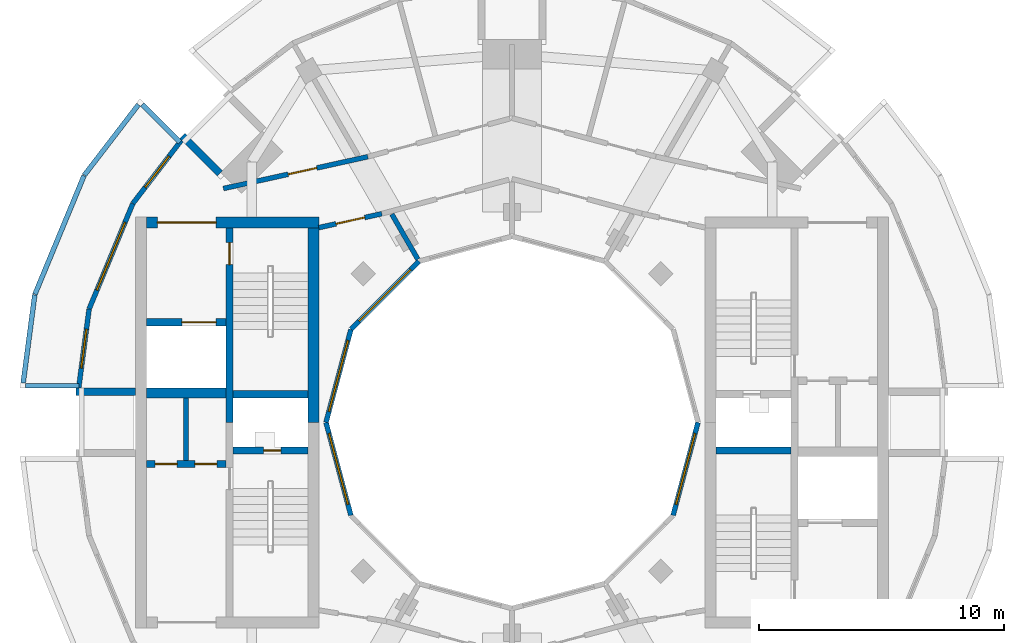
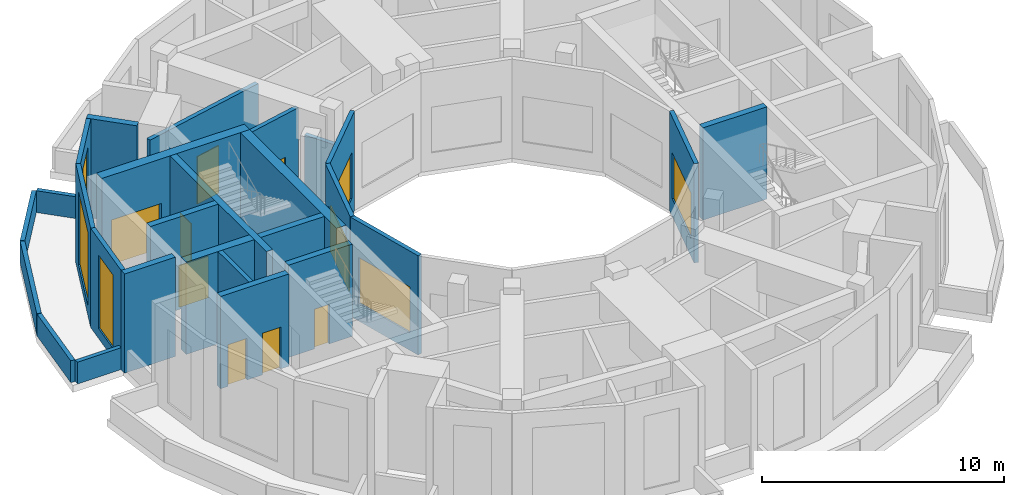
# One storey, part 4 of 8: 27 walls, 8 doors, 7 windows, 15 openings.
"""IFC4 building model written with IfcOpenShell, lengths in metres."""

from ifc_helpers import new_model, si_unit, direction, frame, frame_2d, origin, place, context, subcontext, project, spatial, rectangle, extrude, material, layer, layer_set, type_object, element, fill, save


model = new_model("IFC4")

# Units and contexts
model_context = context("Model", 3, precision=1e-05, world=origin(), true_north=direction((0.0, 1.0)))
body_context = subcontext(model_context, "Body", "Model", "MODEL_VIEW")
ifc_project = project(units=[si_unit("LENGTHUNIT", "METRE"), si_unit("AREAUNIT", "SQUARE_METRE"), si_unit("VOLUMEUNIT", "CUBIC_METRE"), si_unit("PLANEANGLEUNIT", "RADIAN"), si_unit("MASSUNIT", "GRAM", prefix="KILO")], contexts=[model_context])

# Site, building, storey
site_placement = place(None, origin())
site = spatial("IfcSite", under=ifc_project, at=site_placement, CompositionType="ELEMENT")
building_placement = place(site_placement, origin())
building = spatial("IfcBuilding", under=site, at=building_placement, Name="Torre Brocal", CompositionType="ELEMENT")
storey_placement = place(building_placement, frame((0.0, 0.0, 328.10009765625)))
storey = spatial("IfcBuildingStorey", under=building, at=storey_placement, Name="L75", CompositionType="ELEMENT", Elevation=328.10009765625)

# Walls
ifc_material_1 = material(Name="Masonry block", Category="masonry")
ifc_layer_1 = layer(ifc_material_1, 0.199951171875)
ifc_layer_set_1 = layer_set([ifc_layer_1], Name="Masonry block")
wall_type_1 = type_object("IfcWallType", Name="CORE PARTITION 200 UNDER 350 SLAB", PredefinedType="PARTITIONING", material=ifc_layer_set_1)
wall_1_placement = place(storey_placement, frame((66.675048828125, 76.0, 0.0), z_axis=(0.0, 0.0, 1.0), x_axis=(0.0, -1.0, 0.0)))
element("IfcWall", 1, at=wall_1_placement, inside=storey, type_object=wall_type_1, Name="Wall CP200-S350", PredefinedType="PARTITIONING", context=body_context, shape_type="SweptSolid", body=[
    extrude(rectangle(XDim=2.550048828125, YDim=0.199951171875, at=frame_2d((1.27490234375, 0.0))), origin(), (0.0, 0.0, 1.0), 4.64990234375),
])
ifc_material_2 = material(Name="Concrete C50", Category="concrete")
ifc_layer_2 = layer(ifc_material_2, 0.300048828125)
ifc_layer_set_2 = layer_set([ifc_layer_2], Name="Concrete C50")
wall_type_2 = type_object("IfcWallType", Name="CORE WALL 300 C50 UNDER 350 SLAB", PredefinedType="SHEAR", material=ifc_layer_set_2)
wall_2_placement = place(storey_placement, frame((88.35009765625, 73.85009765625, 0.0), z_axis=(0.0, 0.0, 1.0), x_axis=(1.0, 0.0, 0.0)))
element("IfcWall", 2, at=wall_2_placement, inside=storey, type_object=wall_type_2, Name="Wall CW300-50-S350", PredefinedType="SHEAR", context=body_context, shape_type="SweptSolid", body=[
    extrude(rectangle(XDim=3.0498046875, YDim=0.300048828125, at=frame_2d((1.52490234375, 0.0))), origin(), (0.0, 0.0, 1.0), 4.64990234375),
])

# Wall, opening, door
wall_3_placement = place(storey_placement, frame((68.449951171875, 82.949951171875, 0.0), z_axis=(0.0, 0.0, 1.0), x_axis=(0.0, -1.0, 0.0)))
wall_3 = element("IfcWall", 3, at=wall_3_placement, inside=storey, type_object=wall_type_2, Name="Wall CW300-50-S350", PredefinedType="SHEAR", context=body_context, shape_type="SweptSolid", body=[
    extrude(rectangle(XDim=7.949951171875, YDim=0.300048828125, at=frame_2d((3.97509765625, 0.0))), origin(), (0.0, 0.0, 1.0), 4.64990234375),
])
opening_1_placement = place(wall_3_placement, frame((0.60009765625, 0.0, 0.0)))
opening_1 = element("IfcOpeningElement", 4, at=opening_1_placement, cuts=wall_3, Name="Opening W-D03", PredefinedType="OPENING", context=body_context, shape_type="SweptSolid", body=[
    extrude(rectangle(XDim=0.89990234375, YDim=2.10009765625, at=frame_2d((0.449951171875, 1.050048828125))), frame((0.0, 0.159912109375, 0.0), z_axis=(0.0, -1.0, 0.0), x_axis=(1.0, 0.0, 0.0)), (0.0, 0.0, 1.0), 0.320068359375),
])
ifc_material_3 = material(Name="Steel A653", Category="steel")
door_type_1 = type_object("IfcDoorType", Name="STAIR DOOR FD120 900X2100", OperationType="SINGLE_SWING_RIGHT", PredefinedType="DOOR", material=ifc_material_3)
door_1_placement = place(opening_1_placement, origin())
door_1 = element("IfcDoor", 5, at=door_1_placement, inside=storey, type_object=door_type_1, Name="Door W-D03", OperationType="SINGLE_SWING_LEFT", OverallHeight=2.10009765625, OverallWidth=0.89990234375, PredefinedType="DOOR", context=body_context, shape_type="SweptSolid", body=[
    extrude(rectangle(XDim=0.89990234375, YDim=2.10009765625, at=frame_2d((0.449951171875, 1.050048828125))), frame((0.0, 0.02490234375, 0.0), z_axis=(0.0, -1.0, 0.0), x_axis=(1.0, 0.0, 0.0)), (0.0, 0.0, 1.0), 0.050048828125),
])
fill(opening_1, door_1)

wall_4_placement = place(storey_placement, frame((71.64990234375, 73.85009765625, 0.0), z_axis=(0.0, 0.0, 1.0), x_axis=(-1.0, 0.0, 0.0)))
wall_4 = element("IfcWall", 6, at=wall_4_placement, inside=storey, type_object=wall_type_2, Name="Wall CW300-50-S350", PredefinedType="SHEAR", context=body_context, shape_type="SweptSolid", body=[
    extrude(rectangle(XDim=3.0498046875, YDim=0.300048828125, at=frame_2d((1.52490234375, 0.0))), origin(), (0.0, 0.0, 1.0), 4.64990234375),
])
opening_2_placement = place(wall_4_placement, frame((1.10009765625, 0.0, 0.0)))
opening_2 = element("IfcOpeningElement", 7, at=opening_2_placement, cuts=wall_4, Name="Opening W-D01", PredefinedType="OPENING", context=body_context, shape_type="SweptSolid", body=[
    extrude(rectangle(XDim=0.699951171875, YDim=2.0, at=frame_2d((0.35009765625, 1.0))), frame((0.0, 0.159912109375, 0.0), z_axis=(0.0, -1.0, 0.0), x_axis=(1.0, 0.0, 0.0)), (0.0, 0.0, 1.0), 0.320068359375),
])
ifc_material_4 = material(Name="Steel A653", Category="steel")
door_type_2 = type_object("IfcDoorType", Name="RISER DOOR FD120 700X2000", OperationType="SINGLE_SWING_LEFT", PredefinedType="DOOR", material=ifc_material_4)
door_2_placement = place(opening_2_placement, frame((0.699951171875, 0.0, 0.0), z_axis=(0.0, 0.0, 1.0), x_axis=(-1.0, 0.0, 0.0)))
door_2 = element("IfcDoor", 8, at=door_2_placement, inside=storey, type_object=door_type_2, Name="Door W-D01", OperationType="SINGLE_SWING_RIGHT", OverallHeight=2.0, OverallWidth=0.699951171875, PredefinedType="DOOR", context=body_context, shape_type="SweptSolid", body=[
    extrude(rectangle(XDim=0.699951171875, YDim=2.0, at=frame_2d((0.35009765625, 1.0))), frame((0.0, 0.02490234375, 0.0), z_axis=(0.0, -1.0, 0.0), x_axis=(1.0, 0.0, 0.0)), (0.0, 0.0, 1.0), 0.050048828125),
])
fill(opening_2, door_2)

# Wall
wall_5_placement = place(storey_placement, frame((71.64990234375, 76.14990234375, 0.0), z_axis=(0.0, 0.0, 1.0), x_axis=(-1.0, 0.0, 0.0)))
element("IfcWall", 9, at=wall_5_placement, inside=storey, type_object=wall_type_2, Name="Wall CW300-50-S350", PredefinedType="SHEAR", context=body_context, shape_type="SweptSolid", body=[
    extrude(rectangle(XDim=3.0498046875, YDim=0.300048828125, at=frame_2d((1.52490234375, 0.0))), origin(), (0.0, 0.0, 1.0), 4.64990234375),
])

# Wall, openings, doors
wall_6_placement = place(storey_placement, frame((68.300048828125, 73.300048828125, 0.0), z_axis=(0.0, 0.0, 1.0), x_axis=(-1.0, 0.0, 0.0)))
wall_6 = element("IfcWall", 10, at=wall_6_placement, inside=storey, type_object=wall_type_2, Name="Wall CW300-50-S350", PredefinedType="SHEAR", context=body_context, shape_type="SweptSolid", body=[
    extrude(rectangle(XDim=3.25, YDim=0.300048828125, at=frame_2d((1.625, 0.0))), origin(), (0.0, 0.0, 1.0), 4.64990234375),
])
opening_3_placement = place(wall_6_placement, frame((0.362548828125, 0.0, 0.0)))
opening_3 = element("IfcOpeningElement", 11, at=opening_3_placement, cuts=wall_6, Name="Opening W-D04", PredefinedType="OPENING", context=body_context, shape_type="SweptSolid", body=[
    extrude(rectangle(XDim=0.89990234375, YDim=2.10009765625, at=frame_2d((0.449951171875, 1.050048828125))), frame((0.0, 0.159912109375, 0.0), z_axis=(0.0, -1.0, 0.0), x_axis=(1.0, 0.0, 0.0)), (0.0, 0.0, 1.0), 0.320068359375),
])
opening_4_placement = place(wall_6_placement, frame((1.987548828125, 0.0, 0.0)))
opening_4 = element("IfcOpeningElement", 12, at=opening_4_placement, cuts=wall_6, Name="Opening W-D05", PredefinedType="OPENING", context=body_context, shape_type="SweptSolid", body=[
    extrude(rectangle(XDim=0.89990234375, YDim=2.10009765625, at=frame_2d((0.449951171875, 1.050048828125))), frame((0.0, 0.159912109375, 0.0), z_axis=(0.0, -1.0, 0.0), x_axis=(1.0, 0.0, 0.0)), (0.0, 0.0, 1.0), 0.320068359375),
])
ifc_material_5 = material(Name="Steel A653", Category="steel")
door_type_3 = type_object("IfcDoorType", Name="ROOM DOOR FD30S 900X2100", OperationType="SINGLE_SWING_LEFT", PredefinedType="DOOR", material=ifc_material_5)
door_3_placement = place(opening_3_placement, frame((0.89990234375, 0.0, 0.0), z_axis=(0.0, 0.0, 1.0), x_axis=(-1.0, 0.0, 0.0)))
door_3 = element("IfcDoor", 13, at=door_3_placement, inside=storey, type_object=door_type_3, Name="Door W-D04", OperationType="SINGLE_SWING_LEFT", OverallHeight=2.10009765625, OverallWidth=0.89990234375, PredefinedType="DOOR", context=body_context, shape_type="SweptSolid", body=[
    extrude(rectangle(XDim=0.89990234375, YDim=2.10009765625, at=frame_2d((0.449951171875, 1.050048828125))), frame((0.0, 0.02490234375, 0.0), z_axis=(0.0, -1.0, 0.0), x_axis=(1.0, 0.0, 0.0)), (0.0, 0.0, 1.0), 0.050048828125),
])
fill(opening_3, door_3)
door_4_placement = place(opening_4_placement, frame((0.89990234375, 0.0, 0.0), z_axis=(0.0, 0.0, 1.0), x_axis=(-1.0, 0.0, 0.0)))
door_4 = element("IfcDoor", 14, at=door_4_placement, inside=storey, type_object=door_type_3, Name="Door W-D05", OperationType="SINGLE_SWING_RIGHT", OverallHeight=2.10009765625, OverallWidth=0.89990234375, PredefinedType="DOOR", context=body_context, shape_type="SweptSolid", body=[
    extrude(rectangle(XDim=0.89990234375, YDim=2.10009765625, at=frame_2d((0.449951171875, 1.050048828125))), frame((0.0, 0.02490234375, 0.0), z_axis=(0.0, -1.0, 0.0), x_axis=(1.0, 0.0, 0.0)), (0.0, 0.0, 1.0), 0.050048828125),
])
fill(opening_4, door_4)

# Wall, opening, door
wall_7_placement = place(storey_placement, frame((68.300048828125, 79.10009765625, 0.0), z_axis=(0.0, 0.0, 1.0), x_axis=(-1.0, 0.0, 0.0)))
wall_7 = element("IfcWall", 15, at=wall_7_placement, inside=storey, type_object=wall_type_2, Name="Wall CW300-50-S350", PredefinedType="SHEAR", context=body_context, shape_type="SweptSolid", body=[
    extrude(rectangle(XDim=3.25, YDim=0.300048828125, at=frame_2d((1.625, 0.0))), origin(), (0.0, 0.0, 1.0), 4.64990234375),
])
opening_5_placement = place(wall_7_placement, frame((0.39990234375, 0.0, 0.0)))
opening_5 = element("IfcOpeningElement", 16, at=opening_5_placement, cuts=wall_7, Name="Opening LD14", PredefinedType="OPENING", context=body_context, shape_type="SweptSolid", body=[
    extrude(rectangle(XDim=1.39990234375, YDim=2.10009765625, at=frame_2d((0.699951171875, 1.050048828125))), frame((0.0, 0.159912109375, 0.0), z_axis=(0.0, -1.0, 0.0), x_axis=(1.0, 0.0, 0.0)), (0.0, 0.0, 1.0), 0.320068359375),
])
ifc_material_6 = material(Name="Stainless steel AISI 316", Category="steel")
door_type_4 = type_object("IfcDoorType", Name="LIFT LANDING DOOR 1400X2100", OperationType="DOUBLE_DOOR_SLIDING", PredefinedType="DOOR", material=ifc_material_6)
door_5_placement = place(opening_5_placement, origin())
door_5 = element("IfcDoor", 17, at=door_5_placement, inside=storey, type_object=door_type_4, Name="Door LD14", OperationType="DOUBLE_DOOR_SLIDING", OverallHeight=2.10009765625, OverallWidth=1.39990234375, PredefinedType="DOOR", context=body_context, shape_type="SweptSolid", body=[
    extrude(rectangle(XDim=1.39990234375, YDim=2.10009765625, at=frame_2d((0.699951171875, 1.050048828125))), frame((0.0, 0.02490234375, 0.0), z_axis=(0.0, -1.0, 0.0), x_axis=(1.0, 0.0, 0.0)), (0.0, 0.0, 1.0), 0.050048828125),
])
fill(opening_5, door_5)

# Wall
ifc_material_7 = material(Name="Concrete C50", Category="concrete")
ifc_layer_3 = layer(ifc_material_7, 0.39990234375)
ifc_layer_set_3 = layer_set([ifc_layer_3], Name="Concrete C50")
wall_type_3 = type_object("IfcWallType", Name="CORE WALL 400 C50 UNDER 350 SLAB", PredefinedType="SHEAR", material=ifc_layer_set_3)
wall_8_placement = place(storey_placement, frame((68.300048828125, 76.199951171875, 0.0), z_axis=(0.0, 0.0, 1.0), x_axis=(-1.0, 0.0, 0.0)))
element("IfcWall", 18, at=wall_8_placement, inside=storey, type_object=wall_type_3, Name="Wall CW400-50-S350", PredefinedType="SHEAR", context=body_context, shape_type="SweptSolid", body=[
    extrude(rectangle(XDim=3.25, YDim=0.39990234375, at=frame_2d((1.625, 0.0))), origin(), (0.0, 0.0, 1.0), 4.64990234375),
])

# Wall, opening, door
ifc_material_8 = material(Name="Concrete C50", Category="concrete")
ifc_layer_4 = layer(ifc_material_8, 0.449951171875)
ifc_layer_set_4 = layer_set([ifc_layer_4], Name="Concrete C50")
wall_type_4 = type_object("IfcWallType", Name="CORE WALL 450 C50 UNDER 350 SLAB", PredefinedType="SHEAR", material=ifc_layer_set_4)
wall_9_placement = place(storey_placement, frame((72.10009765625, 83.175048828125, 0.0), z_axis=(0.0, 0.0, 1.0), x_axis=(-1.0, 0.0, 0.0)))
wall_9 = element("IfcWall", 19, at=wall_9_placement, inside=storey, type_object=wall_type_4, Name="Wall CW450-50-S350", PredefinedType="SHEAR", context=body_context, shape_type="SweptSolid", body=[
    extrude(rectangle(XDim=7.050048828125, YDim=0.449951171875, at=frame_2d((3.52490234375, 0.0))), origin(), (0.0, 0.0, 1.0), 4.64990234375),
])
opening_6_placement = place(wall_9_placement, frame((4.199951171875, 0.0, 0.0)))
opening_6 = element("IfcOpeningElement", 20, at=opening_6_placement, cuts=wall_9, Name="Opening W-D24", PredefinedType="OPENING", context=body_context, shape_type="SweptSolid", body=[
    extrude(rectangle(XDim=2.39990234375, YDim=2.39990234375, at=frame_2d((1.199951171875, 1.199951171875))), frame((0.0, 0.23486328125, 0.0), z_axis=(0.0, -1.0, 0.0), x_axis=(1.0, 0.0, 0.0)), (0.0, 0.0, 1.0), 0.469970703125),
])
ifc_material_9 = material(Name="Steel A653", Category="steel")
door_type_5 = type_object("IfcDoorType", Name="DOUBLE FIRE DOOR FD90 2400X2400", OperationType="DOUBLE_DOOR_SINGLE_SWING", PredefinedType="DOOR", material=ifc_material_9)
door_6_placement = place(opening_6_placement, origin())
door_6 = element("IfcDoor", 21, at=door_6_placement, inside=storey, type_object=door_type_5, Name="Door W-D24", OperationType="DOUBLE_DOOR_SINGLE_SWING", OverallHeight=2.39990234375, OverallWidth=2.39990234375, PredefinedType="DOOR", context=body_context, shape_type="SweptSolid", body=[
    extrude(rectangle(XDim=2.39990234375, YDim=2.39990234375, at=frame_2d((1.199951171875, 1.199951171875))), frame((0.0, 0.02490234375, 0.0), z_axis=(0.0, -1.0, 0.0), x_axis=(1.0, 0.0, 0.0)), (0.0, 0.0, 1.0), 0.050048828125),
])
fill(opening_6, door_6)

# Wall
wall_10_placement = place(storey_placement, frame((71.875, 82.949951171875, 0.0), z_axis=(0.0, 0.0, 1.0), x_axis=(0.0, -1.0, 0.0)))
element("IfcWall", 22, at=wall_10_placement, inside=storey, type_object=wall_type_4, Name="Wall CW450-50-S350", PredefinedType="SHEAR", context=body_context, shape_type="SweptSolid", body=[
    extrude(rectangle(XDim=7.949951171875, YDim=0.449951171875, at=frame_2d((3.97509765625, 0.0))), origin(), (0.0, 0.0, 1.0), 4.64990234375),
])

# Wall, opening, window
ifc_material_10 = material(Name="Concrete C40", Category="concrete")
ifc_layer_5 = layer(ifc_material_10, 0.199951171875)
ifc_layer_set_5 = layer_set([ifc_layer_5], Name="Concrete C40")
wall_type_5 = type_object("IfcWallType", Name="LOUVRED PLANT WALL 200", PredefinedType="NOTDEFINED", material=ifc_layer_set_5)
wall_11_placement = place(storey_placement, frame((66.48388671875, 86.536376953125, 0.0), z_axis=(0.0, 0.0, 1.0), x_axis=(-0.608780431243, -0.793338759003, 0.0)))
wall_11 = element("IfcWall", 23, at=wall_11_placement, inside=storey, type_object=wall_type_5, Name="LOUVRED PLANT WALL", PredefinedType="NOTDEFINED", context=body_context, shape_type="SweptSolid", body=[
    extrude(rectangle(XDim=3.2607421875, YDim=0.199951171875, at=frame_2d((1.63037109375, 0.0))), origin(), (0.0, 0.0, 1.0), 5.0),
])
opening_7_placement = place(wall_11_placement, frame((0.830322265625, 0.0, 0.5)))
opening_7 = element("IfcOpeningElement", 24, at=opening_7_placement, cuts=wall_11, Name="Opening LV-1600-3700", PredefinedType="OPENING", context=body_context, shape_type="SweptSolid", body=[
    extrude(rectangle(XDim=1.60009765625, YDim=3.699951171875, at=frame_2d((0.800048828125, 1.85009765625))), frame((0.0, 0.10986328125, 0.0), z_axis=(0.0, -1.0, 0.0), x_axis=(1.0, 0.0, 0.0)), (0.0, 0.0, 1.0), 0.219970703125),
])
ifc_material_11 = material(Name="Aluminium louvre", Category="aluminium")
window_type_1 = type_object("IfcWindowType", Name="LOUVRE PANEL 1600X3700", PartitioningType="SINGLE_PANEL", PredefinedType="USERDEFINED", material=ifc_material_11)
window_1_placement = place(opening_7_placement, origin())
window_1 = element("IfcWindow", 25, at=window_1_placement, inside=storey, type_object=window_type_1, Name="LOUVRE PANEL 1600X3700", ObjectType="LOUVRE", OverallHeight=3.699951171875, OverallWidth=1.60009765625, PartitioningType="SINGLE_PANEL", PredefinedType="USERDEFINED", context=body_context, shape_type="SweptSolid", body=[
    extrude(rectangle(XDim=1.60009765625, YDim=3.699951171875, at=frame_2d((0.800048828125, 1.85009765625))), frame((0.0, 0.030029296875, 0.0), z_axis=(0.0, -1.0, 0.0), x_axis=(1.0, 0.0, 0.0)), (0.0, 0.0, 1.0), 0.06005859375),
])
fill(opening_7, window_1)

wall_12_placement = place(storey_placement, frame((64.498779296875, 83.949462890625, 0.0), z_axis=(0.0, 0.0, 1.0), x_axis=(-0.382677892842, -0.923881827038, 0.0)))
wall_12 = element("IfcWall", 26, at=wall_12_placement, inside=storey, type_object=wall_type_5, Name="LOUVRED PLANT WALL", PredefinedType="NOTDEFINED", context=body_context, shape_type="SweptSolid", body=[
    extrude(rectangle(XDim=4.672607421875, YDim=0.199951171875, at=frame_2d((2.33642578125, 0.0))), origin(), (0.0, 0.0, 1.0), 5.0),
])
opening_8_placement = place(wall_12_placement, frame((0.83642578125, 0.0, 0.5)))
opening_8 = element("IfcOpeningElement", 27, at=opening_8_placement, cuts=wall_12, Name="Opening LV-3000-3700", PredefinedType="OPENING", context=body_context, shape_type="SweptSolid", body=[
    extrude(rectangle(XDim=3.0, YDim=3.699951171875, at=frame_2d((1.5, 1.85009765625))), frame((0.0, 0.10986328125, 0.0), z_axis=(0.0, -1.0, 0.0), x_axis=(1.0, 0.0, 0.0)), (0.0, 0.0, 1.0), 0.219970703125),
])
ifc_material_12 = material(Name="Aluminium louvre", Category="aluminium")
window_type_2 = type_object("IfcWindowType", Name="LOUVRE PANEL 3000X3700", PartitioningType="SINGLE_PANEL", PredefinedType="USERDEFINED", material=ifc_material_12)
window_2_placement = place(opening_8_placement, origin())
window_2 = element("IfcWindow", 28, at=window_2_placement, inside=storey, type_object=window_type_2, Name="LOUVRE PANEL 3000X3700", ObjectType="LOUVRE", OverallHeight=3.699951171875, OverallWidth=3.0, PartitioningType="SINGLE_PANEL", PredefinedType="USERDEFINED", context=body_context, shape_type="SweptSolid", body=[
    extrude(rectangle(XDim=3.0, YDim=3.699951171875, at=frame_2d((1.5, 1.85009765625))), frame((0.0, 0.030029296875, 0.0), z_axis=(0.0, -1.0, 0.0), x_axis=(1.0, 0.0, 0.0)), (0.0, 0.0, 1.0), 0.06005859375),
])
fill(opening_8, window_2)

wall_13_placement = place(storey_placement, frame((62.710693359375, 79.632568359375, 0.0), z_axis=(0.0, 0.0, 1.0), x_axis=(-0.130510682886, -0.991446903093, 0.0)))
wall_13 = element("IfcWall", 29, at=wall_13_placement, inside=storey, type_object=wall_type_5, Name="LOUVRED PLANT WALL", PredefinedType="NOTDEFINED", context=body_context, shape_type="SweptSolid", body=[
    extrude(rectangle(XDim=3.260498046875, YDim=0.199951171875, at=frame_2d((1.63037109375, 0.0))), origin(), (0.0, 0.0, 1.0), 5.0),
])
opening_9_placement = place(wall_13_placement, frame((0.830322265625, 0.0, 0.5)))
opening_9 = element("IfcOpeningElement", 30, at=opening_9_placement, cuts=wall_13, Name="Opening LV-1600-3700", PredefinedType="OPENING", context=body_context, shape_type="SweptSolid", body=[
    extrude(rectangle(XDim=1.60009765625, YDim=3.699951171875, at=frame_2d((0.800048828125, 1.85009765625))), frame((0.0, 0.10986328125, 0.0), z_axis=(0.0, -1.0, 0.0), x_axis=(1.0, 0.0, 0.0)), (0.0, 0.0, 1.0), 0.219970703125),
])
window_3_placement = place(opening_9_placement, origin())
window_3 = element("IfcWindow", 31, at=window_3_placement, inside=storey, type_object=window_type_1, Name="LOUVRE PANEL 1600X3700", ObjectType="LOUVRE", OverallHeight=3.699951171875, OverallWidth=1.60009765625, PartitioningType="SINGLE_PANEL", PredefinedType="USERDEFINED", context=body_context, shape_type="SweptSolid", body=[
    extrude(rectangle(XDim=1.60009765625, YDim=3.699951171875, at=frame_2d((0.800048828125, 1.85009765625))), frame((0.0, 0.030029296875, 0.0), z_axis=(0.0, -1.0, 0.0), x_axis=(1.0, 0.0, 0.0)), (0.0, 0.0, 1.0), 0.06005859375),
])
fill(opening_9, window_3)

# Walls
ifc_material_13 = material(Name="Concrete C50", Category="concrete")
ifc_layer_6 = layer(ifc_material_13, 0.300048828125)
ifc_layer_set_6 = layer_set([ifc_layer_6], Name="Concrete C50")
wall_type_6 = type_object("IfcWallType", Name="NOTCH RETURN WALL 300 C50", PredefinedType="NOTDEFINED", material=ifc_layer_set_6)
wall_14_placement = place(storey_placement, frame((68.0498046875, 85.182373046875, 0.0), z_axis=(0.0, 0.0, 1.0), x_axis=(-0.707106781187, 0.707106781187, 0.0)))
element("IfcWall", 32, at=wall_14_placement, inside=storey, type_object=wall_type_6, Name="NOTCH RETURN WALL", PredefinedType="NOTDEFINED", context=body_context, shape_type="SweptSolid", body=[
    extrude(rectangle(XDim=2.16552734375, YDim=0.300048828125, at=frame_2d((1.082763671875, 0.0))), origin(), (0.0, 0.0, 1.0), 5.0),
])
wall_15_placement = place(storey_placement, frame((64.60009765625, 76.25, 0.0), z_axis=(0.0, 0.0, 1.0), x_axis=(-1.0, 0.0, 0.0)))
element("IfcWall", 33, at=wall_15_placement, inside=storey, type_object=wall_type_6, Name="NOTCH RETURN WALL", PredefinedType="NOTDEFINED", context=body_context, shape_type="SweptSolid", body=[
    extrude(rectangle(XDim=2.415771484375, YDim=0.300048828125, at=frame_2d((1.2080078125, 0.0))), origin(), (0.0, 0.0, 1.0), 5.0),
])
ifc_material_14 = material(Name="Concrete C40", Category="concrete")
ifc_layer_7 = layer(ifc_material_14, 0.199951171875)
ifc_layer_set_7 = layer_set([ifc_layer_7], Name="Concrete C40")
wall_type_7 = type_object("IfcWallType", Name="PARAPET WALL 200 THICK 1100 HIGH 4", PredefinedType="PARAPET", material=ifc_layer_set_7)
wall_16_placement = place(storey_placement, frame((62.300048828125, 76.5, 0.0), z_axis=(0.0, 0.0, 1.0), x_axis=(-1.0, 0.0, 0.0)))
element("IfcWall", 34, at=wall_16_placement, inside=storey, type_object=wall_type_7, Name="PARAPET WALL 29", PredefinedType="PARAPET", context=body_context, shape_type="SweptSolid", body=[
    extrude(rectangle(XDim=2.18603515625, YDim=0.199951171875, at=frame_2d((1.093017578125, 0.0))), origin(), (0.0, 0.0, 1.0), 1.099853515625),
])
wall_17_placement = place(storey_placement, frame((60.014892578125, 76.613037109375, 0.0), z_axis=(0.0, 0.0, 1.0), x_axis=(0.130525796353, 0.991444913491, 0.0)))
element("IfcWall", 35, at=wall_17_placement, inside=storey, type_object=wall_type_7, Name="PARAPET WALL 30", PredefinedType="PARAPET", context=body_context, shape_type="SweptSolid", body=[
    extrude(rectangle(XDim=3.63232421875, YDim=0.199951171875, at=frame_2d((1.816162109375, 0.0))), origin(), (0.0, 0.0, 1.0), 1.099853515625),
])
wall_18_placement = place(storey_placement, frame((60.495849609375, 80.23974609375, 0.0), z_axis=(0.0, 0.0, 1.0), x_axis=(0.38268471779, 0.92387900007, 0.0)))
element("IfcWall", 36, at=wall_18_placement, inside=storey, type_object=wall_type_7, Name="PARAPET WALL 31", PredefinedType="PARAPET", context=body_context, shape_type="SweptSolid", body=[
    extrude(rectangle(XDim=5.24609375, YDim=0.199951171875, at=frame_2d((2.623046875, 0.0))), origin(), (0.0, 0.0, 1.0), 1.099853515625),
])
wall_19_placement = place(storey_placement, frame((62.5166015625, 85.109130859375, 0.0), z_axis=(0.0, 0.0, 1.0), x_axis=(0.608739102217, 0.793370471742, 0.0)))
element("IfcWall", 37, at=wall_19_placement, inside=storey, type_object=wall_type_7, Name="PARAPET WALL 32", PredefinedType="PARAPET", context=body_context, shape_type="SweptSolid", body=[
    extrude(rectangle(XDim=3.63232421875, YDim=0.199951171875, at=frame_2d((1.816162109375, 0.0))), origin(), (0.0, 0.0, 1.0), 1.099853515625),
])
wall_20_placement = place(storey_placement, frame((64.8779296875, 88.000732421875, 0.0), z_axis=(0.0, 0.0, 1.0), x_axis=(0.707106781187, -0.707106781187, 0.0)))
element("IfcWall", 38, at=wall_20_placement, inside=storey, type_object=wall_type_7, Name="PARAPET WALL 33", PredefinedType="PARAPET", context=body_context, shape_type="SweptSolid", body=[
    extrude(rectangle(XDim=2.185791015625, YDim=0.199951171875, at=frame_2d((1.0927734375, 0.0))), origin(), (0.0, 0.0, 1.0), 1.099853515625),
])

# Wall, opening, door
ifc_material_15 = material(Name="Masonry block", Category="masonry")
ifc_layer_8 = layer(ifc_material_15, 0.199951171875)
ifc_layer_set_8 = layer_set([ifc_layer_8], Name="Masonry block")
wall_type_8 = type_object("IfcWallType", Name="PARTITION 200 EI120", PredefinedType="PARTITIONING", material=ifc_layer_set_8)
wall_21_placement = place(storey_placement, frame((68.20068359375, 84.561279296875, 0.0), z_axis=(0.0, 0.0, 1.0), x_axis=(0.976586307919, 0.215125970504, 0.0)))
wall_21 = element("IfcWall", 39, at=wall_21_placement, inside=storey, type_object=wall_type_8, Name="PLANT ROOM WALL", PredefinedType="PARTITIONING", context=body_context, shape_type="SweptSolid", body=[
    extrude(rectangle(XDim=6.046630859375, YDim=0.199951171875, at=frame_2d((3.0234375, 0.0))), origin(), (0.0, 0.0, 1.0), 4.5498046875),
])
opening_10_placement = place(wall_21_placement, frame((2.710693359375, 0.0, 0.0)))
opening_10 = element("IfcOpeningElement", 40, at=opening_10_placement, cuts=wall_21, Name="Opening X4-D06", PredefinedType="OPENING", context=body_context, shape_type="SweptSolid", body=[
    extrude(rectangle(XDim=1.199951171875, YDim=2.39990234375, at=frame_2d((0.60009765625, 1.199951171875))), frame((0.0, 0.10986328125, 0.0), z_axis=(0.0, -1.0, 0.0), x_axis=(1.0, 0.0, 0.0)), (0.0, 0.0, 1.0), 0.219970703125),
])
ifc_material_16 = material(Name="Steel A653", Category="steel")
door_type_6 = type_object("IfcDoorType", Name="PLANT DOOR FD90 1200X2400", OperationType="SINGLE_SWING_RIGHT", PredefinedType="DOOR", material=ifc_material_16)
door_7_placement = place(opening_10_placement, origin())
door_7 = element("IfcDoor", 41, at=door_7_placement, inside=storey, type_object=door_type_6, Name="X4-D06", OperationType="SINGLE_SWING_RIGHT", OverallHeight=2.39990234375, OverallWidth=1.199951171875, PredefinedType="DOOR", context=body_context, shape_type="SweptSolid", body=[
    extrude(rectangle(XDim=1.199951171875, YDim=2.39990234375, at=frame_2d((0.60009765625, 1.199951171875))), frame((0.0, 0.02490234375, 0.0), z_axis=(0.0, -1.0, 0.0), x_axis=(1.0, 0.0, 0.0)), (0.0, 0.0, 1.0), 0.050048828125),
])
fill(opening_10, door_7)

wall_22_placement = place(storey_placement, frame((72.10009765625, 82.962890625, 0.0), z_axis=(0.0, 0.0, 1.0), x_axis=(0.976538663429, 0.215342143642, 0.0)))
wall_22 = element("IfcWall", 42, at=wall_22_placement, inside=storey, type_object=wall_type_8, Name="PLANT ROOM WALL", PredefinedType="PARTITIONING", context=body_context, shape_type="SweptSolid", body=[
    extrude(rectangle(XDim=2.636962890625, YDim=0.199951171875, at=frame_2d((1.318359375, 0.0))), origin(), (0.0, 0.0, 1.0), 4.5498046875),
])
opening_11_placement = place(wall_22_placement, frame((0.723388671875, 0.0, 0.0)))
opening_11 = element("IfcOpeningElement", 43, at=opening_11_placement, cuts=wall_22, Name="Opening X4-D10", PredefinedType="OPENING", context=body_context, shape_type="SweptSolid", body=[
    extrude(rectangle(XDim=1.199951171875, YDim=2.39990234375, at=frame_2d((0.60009765625, 1.199951171875))), frame((0.0, 0.10986328125, 0.0), z_axis=(0.0, -1.0, 0.0), x_axis=(1.0, 0.0, 0.0)), (0.0, 0.0, 1.0), 0.219970703125),
])
door_8_placement = place(opening_11_placement, frame((1.199951171875, 0.0, 0.0), z_axis=(0.0, 0.0, 1.0), x_axis=(-1.0, 0.0, 0.0)))
door_8 = element("IfcDoor", 44, at=door_8_placement, inside=storey, type_object=door_type_6, Name="X4-D10", OperationType="SINGLE_SWING_RIGHT", OverallHeight=2.39990234375, OverallWidth=1.199951171875, PredefinedType="DOOR", context=body_context, shape_type="SweptSolid", body=[
    extrude(rectangle(XDim=1.199951171875, YDim=2.39990234375, at=frame_2d((0.60009765625, 1.199951171875))), frame((0.0, 0.02490234375, 0.0), z_axis=(0.0, -1.0, 0.0), x_axis=(1.0, 0.0, 0.0)), (0.0, 0.0, 1.0), 0.050048828125),
])
fill(opening_11, door_8)

# Wall
ifc_material_17 = material(Name="Masonry block", Category="masonry")
ifc_layer_9 = layer(ifc_material_17, 0.199951171875)
ifc_layer_set_9 = layer_set([ifc_layer_9], Name="Masonry block")
wall_type_9 = type_object("IfcWallType", Name="PARTITION 200 EI120 UNDER BEAM 1950", PredefinedType="PARTITIONING", material=ifc_layer_set_9)
wall_23_placement = place(storey_placement, frame((75.087646484375, 83.511474609375, 0.0), z_axis=(0.0, 0.0, 1.0), x_axis=(0.499851500703, -0.86611112292, 0.0)))
element("IfcWall", 45, at=wall_23_placement, inside=storey, type_object=wall_type_9, Name="PLANT ROOM WALL", PredefinedType="PARTITIONING", context=body_context, shape_type="SweptSolid", body=[
    extrude(rectangle(XDim=2.129150390625, YDim=0.199951171875, at=frame_2d((1.064453125, 0.0))), origin(), (0.0, 0.0, 1.0), 3.0498046875),
])

# Wall, opening, window
ifc_material_18 = material(Name="Concrete C40", Category="concrete")
ifc_layer_10 = layer(ifc_material_18, 0.199951171875)
ifc_layer_set_10 = layer_set([ifc_layer_10], Name="Concrete C40")
wall_type_10 = type_object("IfcWallType", Name="WELL FACADE WALL 200", PredefinedType="NOTDEFINED", material=ifc_layer_set_10)
wall_24_placement = place(storey_placement, frame((76.1982421875, 81.5849609375, 0.0), z_axis=(0.0, 0.0, 1.0), x_axis=(-0.707106781187, -0.707106781187, 0.0)))
wall_24 = element("IfcWall", 46, at=wall_24_placement, inside=storey, type_object=wall_type_10, Name="WELL FACADE WALL", PredefinedType="NOTDEFINED", context=body_context, shape_type="SweptSolid", body=[
    extrude(rectangle(XDim=3.93603515625, YDim=0.199951171875, at=frame_2d((1.968017578125, 0.0))), origin(), (0.0, 0.0, 1.0), 5.0),
])
opening_12_placement = place(wall_24_placement, frame((0.468017578125, 0.0, 0.89990234375)))
opening_12 = element("IfcOpeningElement", 47, at=opening_12_placement, cuts=wall_24, Name="Opening W1", PredefinedType="OPENING", context=body_context, shape_type="SweptSolid", body=[
    extrude(rectangle(XDim=3.0, YDim=2.300048828125, at=frame_2d((1.5, 1.14990234375))), frame((0.0, 0.10986328125, 0.0), z_axis=(0.0, -1.0, 0.0), x_axis=(1.0, 0.0, 0.0)), (0.0, 0.0, 1.0), 0.219970703125),
])
ifc_material_19 = material(Name="Aluminium and glass", Category="aluminium")
window_type_3 = type_object("IfcWindowType", Name="WELL WINDOW 3000X2300", PartitioningType="SINGLE_PANEL", PredefinedType="WINDOW", material=ifc_material_19)
window_4_placement = place(opening_12_placement, origin())
window_4 = element("IfcWindow", 48, at=window_4_placement, inside=storey, type_object=window_type_3, Name="WELL WINDOW 3000X2300", OverallHeight=2.300048828125, OverallWidth=3.0, PartitioningType="SINGLE_PANEL", PredefinedType="WINDOW", context=body_context, shape_type="SweptSolid", body=[
    extrude(rectangle(XDim=3.0, YDim=2.300048828125, at=frame_2d((1.5, 1.14990234375))), frame((0.0, 0.030029296875, 0.0), z_axis=(0.0, -1.0, 0.0), x_axis=(1.0, 0.0, 0.0)), (0.0, 0.0, 1.0), 0.06005859375),
])
fill(opening_12, window_4)

wall_25_placement = place(storey_placement, frame((73.4150390625, 78.8017578125, 0.0), z_axis=(0.0, 0.0, 1.0), x_axis=(-0.258789828301, -0.965933654434, 0.0)))
wall_25 = element("IfcWall", 49, at=wall_25_placement, inside=storey, type_object=wall_type_10, Name="WELL FACADE WALL", PredefinedType="NOTDEFINED", context=body_context, shape_type="SweptSolid", body=[
    extrude(rectangle(XDim=3.935791015625, YDim=0.199951171875, at=frame_2d((1.9677734375, 0.0))), origin(), (0.0, 0.0, 1.0), 5.0),
])
opening_13_placement = place(wall_25_placement, frame((0.468017578125, 0.0, 0.89990234375)))
opening_13 = element("IfcOpeningElement", 50, at=opening_13_placement, cuts=wall_25, Name="Opening W1", PredefinedType="OPENING", context=body_context, shape_type="SweptSolid", body=[
    extrude(rectangle(XDim=3.0, YDim=2.300048828125, at=frame_2d((1.5, 1.14990234375))), frame((0.0, 0.10986328125, 0.0), z_axis=(0.0, -1.0, 0.0), x_axis=(1.0, 0.0, 0.0)), (0.0, 0.0, 1.0), 0.219970703125),
])
window_5_placement = place(opening_13_placement, origin())
window_5 = element("IfcWindow", 51, at=window_5_placement, inside=storey, type_object=window_type_3, Name="WELL WINDOW 3000X2300", OverallHeight=2.300048828125, OverallWidth=3.0, PartitioningType="SINGLE_PANEL", PredefinedType="WINDOW", context=body_context, shape_type="SweptSolid", body=[
    extrude(rectangle(XDim=3.0, YDim=2.300048828125, at=frame_2d((1.5, 1.14990234375))), frame((0.0, 0.030029296875, 0.0), z_axis=(0.0, -1.0, 0.0), x_axis=(1.0, 0.0, 0.0)), (0.0, 0.0, 1.0), 0.06005859375),
])
fill(opening_13, window_5)

wall_26_placement = place(storey_placement, frame((72.396484375, 75.0, 0.0), z_axis=(0.0, 0.0, 1.0), x_axis=(0.258789828301, -0.965933654434, 0.0)))
wall_26 = element("IfcWall", 52, at=wall_26_placement, inside=storey, type_object=wall_type_10, Name="WELL FACADE WALL", PredefinedType="NOTDEFINED", context=body_context, shape_type="SweptSolid", body=[
    extrude(rectangle(XDim=3.935791015625, YDim=0.199951171875, at=frame_2d((1.9677734375, 0.0))), origin(), (0.0, 0.0, 1.0), 5.0),
])
opening_14_placement = place(wall_26_placement, frame((0.468017578125, 0.0, 0.89990234375)))
opening_14 = element("IfcOpeningElement", 53, at=opening_14_placement, cuts=wall_26, Name="Opening W1", PredefinedType="OPENING", context=body_context, shape_type="SweptSolid", body=[
    extrude(rectangle(XDim=3.0, YDim=2.300048828125, at=frame_2d((1.5, 1.14990234375))), frame((0.0, 0.10986328125, 0.0), z_axis=(0.0, -1.0, 0.0), x_axis=(1.0, 0.0, 0.0)), (0.0, 0.0, 1.0), 0.219970703125),
])
window_6_placement = place(opening_14_placement, origin())
window_6 = element("IfcWindow", 54, at=window_6_placement, inside=storey, type_object=window_type_3, Name="WELL WINDOW 3000X2300", OverallHeight=2.300048828125, OverallWidth=3.0, PartitioningType="SINGLE_PANEL", PredefinedType="WINDOW", context=body_context, shape_type="SweptSolid", body=[
    extrude(rectangle(XDim=3.0, YDim=2.300048828125, at=frame_2d((1.5, 1.14990234375))), frame((0.0, 0.030029296875, 0.0), z_axis=(0.0, -1.0, 0.0), x_axis=(1.0, 0.0, 0.0)), (0.0, 0.0, 1.0), 0.06005859375),
])
fill(opening_14, window_6)

wall_27_placement = place(storey_placement, frame((86.5849609375, 71.1982421875, 0.0), z_axis=(0.0, 0.0, 1.0), x_axis=(0.258789828301, 0.965933654434, 0.0)))
wall_27 = element("IfcWall", 55, at=wall_27_placement, inside=storey, type_object=wall_type_10, Name="WELL FACADE WALL", PredefinedType="NOTDEFINED", context=body_context, shape_type="SweptSolid", body=[
    extrude(rectangle(XDim=3.935791015625, YDim=0.199951171875, at=frame_2d((1.9677734375, 0.0))), origin(), (0.0, 0.0, 1.0), 5.0),
])
opening_15_placement = place(wall_27_placement, frame((0.468017578125, 0.0, 0.89990234375)))
opening_15 = element("IfcOpeningElement", 56, at=opening_15_placement, cuts=wall_27, Name="Opening W1", PredefinedType="OPENING", context=body_context, shape_type="SweptSolid", body=[
    extrude(rectangle(XDim=3.0, YDim=2.300048828125, at=frame_2d((1.5, 1.14990234375))), frame((0.0, 0.10986328125, 0.0), z_axis=(0.0, -1.0, 0.0), x_axis=(1.0, 0.0, 0.0)), (0.0, 0.0, 1.0), 0.219970703125),
])
window_7_placement = place(opening_15_placement, origin())
window_7 = element("IfcWindow", 57, at=window_7_placement, inside=storey, type_object=window_type_3, Name="WELL WINDOW 3000X2300", OverallHeight=2.300048828125, OverallWidth=3.0, PartitioningType="SINGLE_PANEL", PredefinedType="WINDOW", context=body_context, shape_type="SweptSolid", body=[
    extrude(rectangle(XDim=3.0, YDim=2.300048828125, at=frame_2d((1.5, 1.14990234375))), frame((0.0, 0.030029296875, 0.0), z_axis=(0.0, -1.0, 0.0), x_axis=(1.0, 0.0, 0.0)), (0.0, 0.0, 1.0), 0.06005859375),
])
fill(opening_15, window_7)

save(model, "model.ifc")
